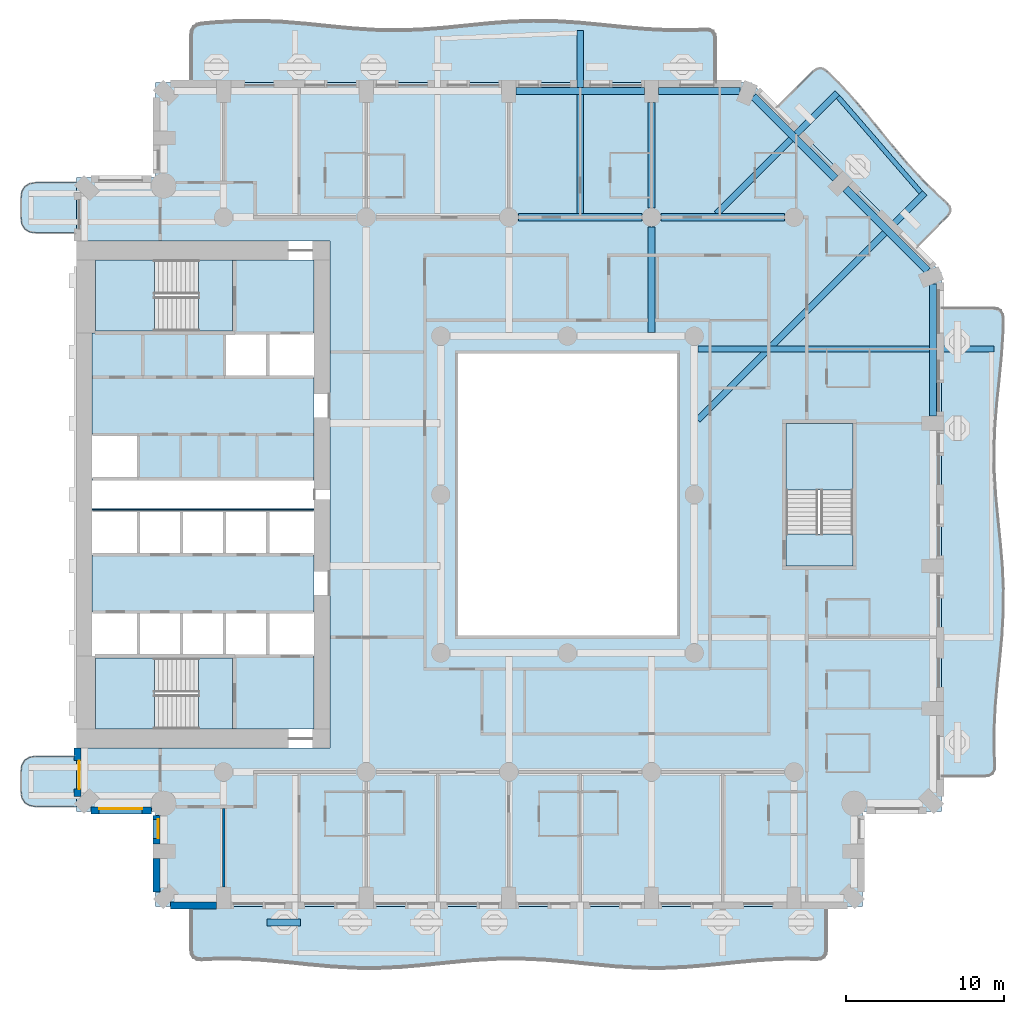
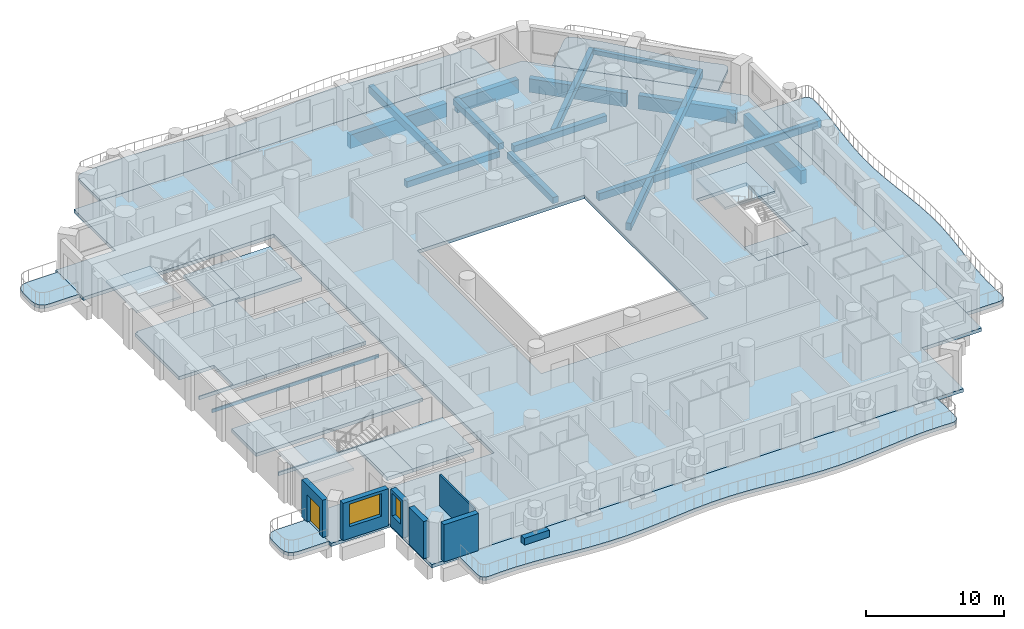
# One storey, part 2 of 20: 17 slabs, 14 beams, 7 walls, 2 windows, 1 door, 3 openings, 3 elements without a shape of their own.
"""IFC4 building model written with IfcOpenShell, lengths in metres."""

import ifcopenshell
import ifcopenshell.guid

model = None  # the IFC model being written
_history = None  # IfcOwnerHistory: only IFC2X3 demands one
_inside = {}  # id of a spatial element -> (the spatial element, [elements in it])
_under = {}  # id of a project, library or spatial element -> (it, [spatial elements below it])
_declared = {}  # id of a project -> (the project, [libraries it declares])
_typed = {}  # id of a type object -> (the type object, [elements of that type])
_made_of = {}  # id of a material, layer set ... -> (it, [elements and type objects made of it])


def new_model(schema):
    """Start an empty IFC model of exactly this schema.

    Asked for "IFC4X3", IfcOpenShell would pick the latest addendum, in which some entities
    have other attributes; the version numbers below select the first issue.
    IFC2X3 requires an IfcOwnerHistory on every rooted entity: one is made here for all.
    """
    global model, _history
    if schema == "IFC4X3":
        model = ifcopenshell.file(schema_version=(4, 3, 0, 0))
    else:
        model = ifcopenshell.file(schema=schema)
    _inside.clear()
    _under.clear()
    _declared.clear()
    _typed.clear()
    _made_of.clear()
    _history = None
    if model.schema == "IFC2X3":
        org = make("IfcOrganization", Name="unknown")
        user = make(
            "IfcPersonAndOrganization",
            ThePerson=make("IfcPerson", FamilyName="unknown"),
            TheOrganization=org,
        )
        app = make(
            "IfcApplication",
            ApplicationDeveloper=org,
            Version="unknown",
            ApplicationFullName="unknown",
            ApplicationIdentifier="unknown",
        )
        _history = make(
            "IfcOwnerHistory",
            OwningUser=user,
            OwningApplication=app,
            ChangeAction="ADDED",
            CreationDate=0,
        )
    return model


def make(cls, **values):
    """One entity of the class cls with the attributes given. An attribute that is None is left unset."""
    return model.create_entity(
        cls, **{name: value for name, value in values.items() if value is not None}
    )


def rooted(cls, **values):
    """An entity with a GlobalId (a new one), such as an element, a storey or a relation."""
    return make(cls, GlobalId=ifcopenshell.guid.new(), OwnerHistory=_history, **values)


def si_unit(unit_type, name, prefix=None):
    """IfcSIUnit, for example si_unit("LENGTHUNIT", "METRE", prefix="MILLI")."""
    return make("IfcSIUnit", UnitType=unit_type, Prefix=prefix, Name=name)


def assignment(units):
    """IfcUnitAssignment: the units of a project."""
    return None if units is None else make("IfcUnitAssignment", Units=units)


def point(xyz):
    """IfcCartesianPoint."""
    return None if xyz is None else make("IfcCartesianPoint", Coordinates=xyz)


def direction(xyz):
    """IfcDirection."""
    return None if xyz is None else make("IfcDirection", DirectionRatios=xyz)


def frame(location, z_axis=None, x_axis=None):
    """IfcAxis2Placement3D, a coordinate frame: its origin and axes. An axis left out is left unset."""
    return make(
        "IfcAxis2Placement3D",
        Location=point(location),
        Axis=direction(z_axis),
        RefDirection=direction(x_axis),
    )


def frame_2d(location, x_axis=None):
    """IfcAxis2Placement2D, a coordinate frame in the plane: its origin and x axis."""
    return make(
        "IfcAxis2Placement2D", Location=point(location), RefDirection=direction(x_axis)
    )


def origin():
    """The frame at (0, 0, 0) with its axes left unset."""
    return frame((0.0, 0.0, 0.0))


def origin_2d():
    """The frame at (0, 0) in the plane with its x axis left unset."""
    return frame_2d((0.0, 0.0))


def place(relative_to, where):
    """IfcLocalPlacement: puts the frame where relative to a parent placement (None: the world)."""
    return make(
        "IfcLocalPlacement", PlacementRelTo=relative_to, RelativePlacement=where
    )


def context(
    kind, dimensions, precision=None, world=None, true_north=None, identifier=None
):
    """IfcGeometricRepresentationContext, for example the 3D "Model" context."""
    return make(
        "IfcGeometricRepresentationContext",
        ContextIdentifier=identifier,
        ContextType=kind,
        CoordinateSpaceDimension=dimensions,
        Precision=precision,
        WorldCoordinateSystem=world,
        TrueNorth=true_north,
    )


def subcontext(parent, identifier, kind, view, scale=None):
    """IfcGeometricRepresentationSubContext, for example "Body" below "Model"."""
    return make(
        "IfcGeometricRepresentationSubContext",
        ContextIdentifier=identifier,
        ContextType=kind,
        ParentContext=parent,
        TargetScale=scale,
        TargetView=view,
    )


def project(units=None, contexts=None):
    """IfcProject with its units and contexts."""
    return rooted(
        "IfcProject",
        Name="project",
        RepresentationContexts=contexts,
        UnitsInContext=assignment(units),
    )


def spatial(cls, under=None, at=None, **own):
    """A site, building, storey or space (cls), placed at a placement, below another one or the project."""
    s = rooted(cls, ObjectPlacement=at, **own)
    if under is not None:
        _under.setdefault(under.id(), (under, []))[1].append(s)
    return s


def polyline(points):
    """IfcPolyline through the points."""
    return make("IfcPolyline", Points=[point(p) for p in points])


def profile(cls, at=None, kind="AREA", **sizes):
    """A parametric profile (cls). Its sizes go by their IFC names, for example OverallWidth=200.0."""
    return make(cls, ProfileType=kind, Position=at, **sizes)


def rectangle(**sizes):
    """IfcRectangleProfileDef."""
    return profile("IfcRectangleProfileDef", **sizes)


def outline(outer, holes=None, kind="AREA"):
    """IfcArbitraryClosedProfileDef: a profile drawn as a closed curve; with holes, ...WithVoids."""
    if holes is None:
        return make("IfcArbitraryClosedProfileDef", ProfileType=kind, OuterCurve=outer)
    return make(
        "IfcArbitraryProfileDefWithVoids",
        ProfileType=kind,
        OuterCurve=outer,
        InnerCurves=holes,
    )


def extrude(swept, where, along, depth):
    """IfcExtrudedAreaSolid: the profile swept, set in the frame where, extruded along a direction by depth."""
    return make(
        "IfcExtrudedAreaSolid",
        SweptArea=swept,
        Position=where,
        ExtrudedDirection=direction(along),
        Depth=depth,
    )


def shape(context_of_items, identifier, shape_type, items):
    """IfcShapeRepresentation: the items that make up one representation, for example the "Body"."""
    return make(
        "IfcShapeRepresentation",
        ContextOfItems=context_of_items,
        RepresentationIdentifier=identifier,
        RepresentationType=shape_type,
        Items=items,
    )


def material(Name=None, Category=None):
    """IfcMaterial."""
    return make("IfcMaterial", Name=Name, Category=Category)


def layer(
    of_material, thickness, ventilated=None, Name=None, Category=None, Priority=None
):
    """IfcMaterialLayer: one layer of a wall or slab, of a material (None: an air gap)."""
    return make(
        "IfcMaterialLayer",
        Material=of_material,
        LayerThickness=thickness,
        IsVentilated=ventilated,
        Name=Name,
        Category=Category,
        Priority=Priority,
    )


def layer_set(layers, Name=None):
    """IfcMaterialLayerSet."""
    return make("IfcMaterialLayerSet", MaterialLayers=layers, LayerSetName=Name)


def material_profile(
    of_material, cross_section, Name=None, Category=None, Priority=None
):
    """IfcMaterialProfile: a cross section and its material."""
    return make(
        "IfcMaterialProfile",
        Name=Name,
        Material=of_material,
        Profile=cross_section,
        Priority=Priority,
        Category=Category,
    )


def profile_set(profiles, Name=None, composite=None):
    """IfcMaterialProfileSet."""
    return make(
        "IfcMaterialProfileSet",
        Name=Name,
        MaterialProfiles=profiles,
        CompositeProfile=composite,
    )


def made_of(thing, what):
    """Note that an element or type object is made of a material, layer set ...; save() writes the relation."""
    if what is not None:
        _made_of.setdefault(what.id(), (what, []))[1].append(thing)
    return thing


def type_object(cls, material=None, **own):
    """A type object (cls), such as IfcWallType, which elements share."""
    return made_of(rooted(cls, **own), material)


def element(
    cls,
    number,
    at=None,
    inside=None,
    cuts=None,
    type_object=None,
    material=None,
    context=None,
    identifier="Body",
    shape_type=None,
    held_by="IfcProductDefinitionShape",
    body=None,
    shapes=None,
    **own,
):
    """One element of the class cls, such as IfcWall. Its Tag is "e" and its number.

    at: its placement. inside: the storey or other place that contains it. cuts: it is an
    opening in that element (IfcRelVoidsElement). A single representation is given by context,
    identifier, shape_type and body (its items); several are given by shapes. held_by: the class
    of the entity that holds the representations. save() writes the other relations.
    """
    e = rooted(cls, Tag="e%d" % number, ObjectPlacement=at, **own)
    if body is not None:
        shapes = [shape(context, identifier, shape_type, body)]
    if shapes is not None:
        e.Representation = make(held_by, Representations=shapes)
    if inside is not None:
        _inside.setdefault(inside.id(), (inside, []))[1].append(e)
    if cuts is not None:
        rooted(
            "IfcRelVoidsElement", RelatingBuildingElement=cuts, RelatedOpeningElement=e
        )
    if type_object is not None:
        _typed.setdefault(type_object.id(), (type_object, []))[1].append(e)
    return made_of(e, material)


def fill(opening, filler):
    """IfcRelFillsElement: the door or window that sits in an opening."""
    return rooted(
        "IfcRelFillsElement",
        RelatingOpeningElement=opening,
        RelatedBuildingElement=filler,
    )


def aggregate(whole, parts):
    """IfcRelAggregates: a whole, such as a stair, and the parts it consists of."""
    return rooted("IfcRelAggregates", RelatingObject=whole, RelatedObjects=parts)


def save(model, path):
    """Write the relations noted so far, then the file.

    IfcRelAggregates (storeys below a building ...), IfcRelContainedInSpatialStructure (elements
    in a storey), IfcRelDefinesByType, IfcRelAssociatesMaterial and IfcRelDeclares: one each for
    every whole, place, type object, material and project.
    """
    for whole, parts in _under.values():
        aggregate(whole, parts)
    for where, things in _inside.values():
        rooted(
            "IfcRelContainedInSpatialStructure",
            RelatedElements=things,
            RelatingStructure=where,
        )
    for kind, things in _typed.values():
        rooted("IfcRelDefinesByType", RelatedObjects=things, RelatingType=kind)
    for what, things in _made_of.values():
        rooted("IfcRelAssociatesMaterial", RelatedObjects=things, RelatingMaterial=what)
    for by, libraries in _declared.values():
        rooted("IfcRelDeclares", RelatingContext=by, RelatedDefinitions=libraries)
    model.write(path)


model = new_model("IFC4")

# Units and contexts
model_context = context("Model", 3, precision=1e-05, world=origin(), true_north=direction((0.0, 1.0)))
body_context = subcontext(model_context, "Body", "Model", "MODEL_VIEW")
ifc_project = project(units=[si_unit("LENGTHUNIT", "METRE"), si_unit("AREAUNIT", "SQUARE_METRE"), si_unit("VOLUMEUNIT", "CUBIC_METRE"), si_unit("PLANEANGLEUNIT", "RADIAN"), si_unit("MASSUNIT", "GRAM", prefix="KILO")], contexts=[model_context])

# Site, building, storey
site_placement = place(None, origin())
site = spatial("IfcSite", under=ifc_project, at=site_placement, CompositionType="ELEMENT")
building_placement = place(site_placement, origin())
building = spatial("IfcBuilding", under=site, at=building_placement, Name="Cypress Arch Tower", CompositionType="ELEMENT")
storey_placement = place(building_placement, frame((0.0, 0.0, 84.300048828125)))
storey = spatial("IfcBuildingStorey", under=building, at=storey_placement, Name="L15", CompositionType="ELEMENT", Elevation=84.300048828125)

# Beams
ifc_material_1 = material(Name="Concrete C50/60", Category="concrete")
ifc_material_profile_1 = material_profile(ifc_material_1, rectangle(XDim=0.300048828125, YDim=0.39990234375, at=origin_2d()), Name="RC 300x400")
ifc_profile_set_1 = profile_set([ifc_material_profile_1], Name="Concrete C50/60")
beam_type_1 = type_object("IfcBeamType", Name="Balcony edge beam RC 300x400 Concrete C50/60", PredefinedType="BEAM", material=ifc_profile_set_1)
beam_1_placement = place(storey_placement, frame((23.295166015625, 19.06591796875, -0.5), z_axis=(-0.654847851218, 0.755760737109, 0.0), x_axis=(-0.755760737109, -0.654847851218, 0.0)))
element("IfcBeam", 1, at=beam_1_placement, inside=storey, type_object=beam_type_1, Name="Balcony edge beam L15 A07", PredefinedType="BEAM", context=body_context, shape_type="SweptSolid", body=[
    extrude(rectangle(XDim=0.300048828125, YDim=0.39990234375, at=origin_2d()), origin(), (0.0, 0.0, 1.0), 7.9814453125),
])
ifc_material_2 = material(Name="Concrete C50/60", Category="concrete")
ifc_material_profile_2 = material_profile(ifc_material_2, rectangle(XDim=0.39990234375, YDim=0.64990234375, at=origin_2d()), Name="RC 400x650")
ifc_profile_set_2 = profile_set([ifc_material_profile_2], Name="Concrete C50/60")
beam_type_2 = type_object("IfcBeamType", Name="Cantilever beam RC 400x650 Concrete C50/60", PredefinedType="BEAM", material=ifc_profile_set_2)
beam_2_placement = place(storey_placement, frame((9.22509765625, 9.18798828125, -0.625), z_axis=(1.0, 0.0, 0.0), x_axis=(0.0, 1.0, 0.0)))
element("IfcBeam", 2, at=beam_2_placement, inside=storey, type_object=beam_type_2, Name="Cantilever beam L15 A06 2", PredefinedType="BEAM", context=body_context, shape_type="SweptSolid", body=[
    extrude(rectangle(XDim=0.39990234375, YDim=0.64990234375, at=origin_2d()), origin(), (0.0, 0.0, 1.0), 18.6767578125),
])
beam_3_placement = place(storey_placement, frame((9.22509765625, 4.712890625, -0.625), z_axis=(0.707106781187, 0.707106781187, 0.0), x_axis=(-0.707106781187, 0.707106781187, 0.0)))
element("IfcBeam", 3, at=beam_3_placement, inside=storey, type_object=beam_type_2, Name="Cantilever beam L15 A07 1", PredefinedType="BEAM", context=body_context, shape_type="SweptSolid", body=[
    extrude(rectangle(XDim=0.39990234375, YDim=0.64990234375, at=origin_2d()), origin(), (0.0, 0.0, 1.0), 20.248291015625),
])
beam_4_placement = place(storey_placement, frame((10.412841796875, 17.72509765625, -0.625), z_axis=(0.707106781187, 0.707106781187, 0.0), x_axis=(-0.707106781187, 0.707106781187, 0.0)))
element("IfcBeam", 4, at=beam_4_placement, inside=storey, type_object=beam_type_2, Name="Cantilever beam L15 A07 2", PredefinedType="BEAM", context=body_context, shape_type="SweptSolid", body=[
    extrude(rectangle(XDim=0.39990234375, YDim=0.64990234375, at=origin_2d()), origin(), (0.0, 0.0, 1.0), 10.77685546875),
])
beam_5_placement = place(storey_placement, frame((1.800048828125, 17.72509765625, -0.625), z_axis=(0.0, 1.0, 0.0), x_axis=(-1.0, 0.0, 0.0)))
element("IfcBeam", 5, at=beam_5_placement, inside=storey, type_object=beam_type_2, Name="Cantilever beam L15 A08 1", PredefinedType="BEAM", context=body_context, shape_type="SweptSolid", body=[
    extrude(rectangle(XDim=0.39990234375, YDim=0.64990234375, at=origin_2d()), origin(), (0.0, 0.0, 1.0), 11.55029296875),
])
ifc_material_3 = material(Name="Concrete C50/60", Category="concrete")
ifc_material_profile_3 = material_profile(ifc_material_3, rectangle(XDim=0.449951171875, YDim=0.550048828125, at=origin_2d()), Name="RC 450x550")
ifc_profile_set_3 = profile_set([ifc_material_profile_3], Name="Concrete C50/60")
beam_type_3 = type_object("IfcBeamType", Name="Floor beam RC 450x550 Concrete C50/60", PredefinedType="BEAM", material=ifc_profile_set_3)
for number, where, z_axis, x_axis, name in (
    (6, (-2.10009765625, 17.5, -0.574951171875), (1.0, 0.0, 0.0), (0.0, 1.0, 0.0), "Floor beam L15 FB017"),
    (7, (6.89990234375, 17.5, -0.574951171875), (1.0, 0.0, 0.0), (0.0, 1.0, 0.0), "Floor beam L15 FB018"),
):
    element("IfcBeam", number, at=place(storey_placement, frame(where, z_axis=z_axis, x_axis=x_axis)), inside=storey, type_object=beam_type_3, Name=name, PredefinedType="BEAM", context=body_context, shape_type="SweptSolid", body=[
        extrude(rectangle(XDim=0.449951171875, YDim=0.550048828125, at=origin_2d()), origin(), (0.0, 0.0, 1.0), 7.800048828125),
    ])
beam_6_placement = place(storey_placement, frame((6.300048828125, 10.22509765625, -0.574951171875), z_axis=(0.0, 1.0, 0.0), x_axis=(-1.0, 0.0, 0.0)))
element("IfcBeam", 8, at=beam_6_placement, inside=storey, type_object=beam_type_3, Name="Floor beam L15 FB032", PredefinedType="BEAM", context=body_context, shape_type="SweptSolid", body=[
    extrude(rectangle(XDim=0.449951171875, YDim=0.550048828125, at=origin_2d()), origin(), (0.0, 0.0, 1.0), 6.6748046875),
])
beam_7_placement = place(storey_placement, frame((6.300048828125, 18.10009765625, -0.574951171875), z_axis=(0.0, 1.0, 0.0), x_axis=(-1.0, 0.0, 0.0)))
element("IfcBeam", 9, at=beam_7_placement, inside=storey, type_object=beam_type_3, Name="Floor beam L15 FB033", PredefinedType="BEAM", context=body_context, shape_type="SweptSolid", body=[
    extrude(rectangle(XDim=0.449951171875, YDim=0.550048828125, at=origin_2d()), origin(), (0.0, 0.0, 1.0), 6.64990234375),
])
ifc_material_4 = material(Name="Concrete C50/60", Category="concrete")
ifc_material_profile_4 = material_profile(ifc_material_4, rectangle(XDim=0.449951171875, YDim=1.199951171875, at=origin_2d()), Name="RC 450x1200")
ifc_profile_set_4 = profile_set([ifc_material_profile_4], Name="Concrete C50/60")
beam_type_4 = type_object("IfcBeamType", Name="Spandrel beam RC 450x1200 Concrete C50/60", PredefinedType="SPANDREL", material=ifc_profile_set_4)
beam_8_placement = place(storey_placement, frame((24.074951171875, 4.949951171875, -1.550048828125), z_axis=(0.0, 1.0, 0.0), x_axis=(-1.0, 0.0, 0.0)))
element("IfcBeam", 10, at=beam_8_placement, inside=storey, type_object=beam_type_4, Name="Spandrel beam L15 BA06-3", PredefinedType="SPANDREL", context=body_context, shape_type="SweptSolid", body=[
    extrude(rectangle(XDim=0.449951171875, YDim=1.199951171875, at=origin_2d()), origin(), (0.0, 0.0, 1.0), 8.345458984375),
])
for number, where, z_axis, x_axis, name in (
    (11, (23.73046875, 14.126953125, -1.550048828125), (-0.707106781187, 0.707106781187, 0.0), (-0.707106781187, -0.707106781187, 0.0), "Spandrel beam L15 BA07-0"),
    (12, (17.91064453125, 19.947021484375, -1.550048828125), (-0.707106781187, 0.707106781187, 0.0), (-0.707106781187, -0.707106781187, 0.0), "Spandrel beam L15 BA07-1"),
):
    element("IfcBeam", number, at=place(storey_placement, frame(where, z_axis=z_axis, x_axis=x_axis)), inside=storey, type_object=beam_type_4, Name=name, PredefinedType="SPANDREL", context=body_context, shape_type="SweptSolid", body=[
        extrude(rectangle(XDim=0.449951171875, YDim=1.199951171875, at=origin_2d()), origin(), (0.0, 0.0, 1.0), 7.330810546875),
    ])
beam_9_placement = place(storey_placement, frame((11.8955078125, 25.47509765625, -1.550048828125), z_axis=(-1.0, 0.0, 0.0), x_axis=(0.0, -1.0, 0.0)))
element("IfcBeam", 13, at=beam_9_placement, inside=storey, type_object=beam_type_4, Name="Spandrel beam L15 BA08-0", PredefinedType="SPANDREL", context=body_context, shape_type="SweptSolid", body=[
    extrude(rectangle(XDim=0.449951171875, YDim=1.199951171875, at=origin_2d()), origin(), (0.0, 0.0, 1.0), 5.1455078125),
])
beam_10_placement = place(storey_placement, frame((5.85009765625, 25.47509765625, -1.550048828125), z_axis=(-1.0, 0.0, 0.0), x_axis=(0.0, -1.0, 0.0)))
element("IfcBeam", 14, at=beam_10_placement, inside=storey, type_object=beam_type_4, Name="Spandrel beam L15 BA08-1", PredefinedType="SPANDREL", context=body_context, shape_type="SweptSolid", body=[
    extrude(rectangle(XDim=0.449951171875, YDim=1.199951171875, at=origin_2d()), origin(), (0.0, 0.0, 1.0), 8.10009765625),
])

# Slabs
ifc_material_5 = material(Name="Concrete C40/50", Category="concrete")
ifc_layer_1 = layer(ifc_material_5, 0.300048828125)
ifc_layer_set_1 = layer_set([ifc_layer_1], Name="Balcony slab BS300")
slab_type_1 = type_object("IfcSlabType", Name="Balcony slab BS300", PredefinedType="USERDEFINED", material=ifc_layer_set_1)
slab_1_placement = place(storey_placement, frame((0.0, 0.0, -0.300048828125)))
element("IfcSlab", 15, at=slab_1_placement, inside=storey, type_object=slab_type_1, Name="Balcony slab L15-A00W0", ObjectType="BALCONY SLAB", PredefinedType="USERDEFINED", context=body_context, shape_type="SweptSolid", body=[
    extrude(outline(polyline([(-30.0, 19.699951171875), (-32.5, 19.699951171875), (-32.9375, 19.637451171875), (-33.25, 19.449951171875), (-33.4375, 19.137451171875), (-33.5, 18.699951171875), (-33.5, 17.5), (-33.4375, 17.0625), (-33.25, 16.75), (-32.9375, 16.5625), (-32.5, 16.5), (-30.0, 16.5), (-30.0, 19.699951171875)])), origin(), (0.0, 0.0, 1.0), 0.300048828125),
])
slab_2_placement = place(storey_placement, frame((0.0, 0.0, -0.300048828125)))
element("IfcSlab", 16, at=slab_2_placement, inside=storey, type_object=slab_type_1, Name="Balcony slab L15-A00W1", ObjectType="BALCONY SLAB", PredefinedType="USERDEFINED", context=body_context, shape_type="SweptSolid", body=[
    extrude(outline(polyline([(-30.0, -16.5), (-32.5, -16.5), (-32.9375, -16.5625), (-33.25, -16.75), (-33.4375, -17.0625), (-33.5, -17.5), (-33.5, -18.699951171875), (-33.4375, -19.137451171875), (-33.25, -19.449951171875), (-32.9375, -19.637451171875), (-32.5, -19.699951171875), (-30.0, -19.699951171875), (-30.0, -16.5)])), origin(), (0.0, 0.0, 1.0), 0.300048828125),
])
slab_3_placement = place(storey_placement, frame((0.0, 0.0, -0.300048828125)))
element("IfcSlab", 17, at=slab_3_placement, inside=storey, type_object=slab_type_1, Name="Balcony slab L15-A03", ObjectType="BALCONY SLAB", PredefinedType="USERDEFINED", context=body_context, shape_type="SweptSolid", body=[
    extrude(outline(polyline([(-22.75, -26.0), (-22.75, -28.71875), (-22.708251953125, -29.00927734375), (-22.5830078125, -29.2119140625), (-22.3740234375, -29.326416015625), (-22.081787109375, -29.35302734375), (-21.264892578125, -29.310546875), (-19.779541015625, -29.309326171875), (-18.29443359375, -29.384521484375), (-16.809326171875, -29.516357421875), (-15.323974609375, -29.670166015625), (-13.8388671875, -29.805419921875), (-12.353759765625, -29.88671875), (-10.868408203125, -29.892822265625), (-9.38330078125, -29.82177734375), (-7.898193359375, -29.692626953125), (-6.412841796875, -29.5390625), (-4.927734375, -29.4013671875), (-3.442626953125, -29.316162109375), (-1.95751953125, -29.305419921875), (-0.47216796875, -29.3720703125), (1.012939453125, -29.498779296875), (2.498046875, -29.65185546875), (3.9833984375, -29.79150390625), (5.468505859375, -29.880859375), (6.95361328125, -29.896240234375), (8.43896484375, -29.833984375), (9.924072265625, -29.7099609375), (11.4091796875, -29.557373046875), (12.89453125, -29.415771484375), (14.379638671875, -29.32275390625), (15.86474609375, -29.302490234375), (16.681640625, -29.334228515625), (16.97412109375, -29.303955078125), (17.182861328125, -29.186767578125), (17.308349609375, -28.982666015625), (17.35009765625, -28.691650390625), (17.35009765625, -26.0), (-22.75, -26.0)])), origin(), (0.0, 0.0, 1.0), 0.300048828125),
])
slab_4_placement = place(storey_placement, frame((0.0, 0.0, -0.300048828125)))
element("IfcSlab", 18, at=slab_4_placement, inside=storey, type_object=slab_type_1, Name="Balcony slab L15-A06", ObjectType="BALCONY SLAB", PredefinedType="USERDEFINED", context=body_context, shape_type="SweptSolid", body=[
    extrude(outline(polyline([(24.60009765625, -17.75), (27.3232421875, -17.75), (27.61181640625, -17.70849609375), (27.81298828125, -17.583984375), (27.9267578125, -17.376708984375), (27.953125, -17.086181640625), (27.910888671875, -16.27490234375), (27.908935546875, -14.800048828125), (27.982421875, -13.324951171875), (28.1123046875, -11.85009765625), (28.264892578125, -10.375), (28.400634765625, -8.89990234375), (28.484375, -7.425048828125), (28.494384765625, -5.949951171875), (28.42822265625, -4.47509765625), (28.302490234375, -3.0), (28.150390625, -1.52490234375), (28.01123046875, -0.050048828125), (27.9208984375, 1.425048828125), (27.90283203125, 2.89990234375), (27.9619140625, 4.375), (28.082763671875, 5.85009765625), (28.23388671875, 7.324951171875), (28.376220703125, 8.800048828125), (28.472900390625, 10.27490234375), (28.4873046875, 11.086181640625), (28.450927734375, 11.376708984375), (28.330078125, 11.583984375), (28.124755859375, 11.70849609375), (27.8349609375, 11.75), (24.60009765625, 11.75), (24.60009765625, -17.75)])), origin(), (0.0, 0.0, 1.0), 0.300048828125),
])
slab_5_placement = place(storey_placement, frame((0.0, 0.0, -0.300048828125)))
element("IfcSlab", 19, at=slab_5_placement, inside=storey, type_object=slab_type_1, Name="Balcony slab L15-A07", ObjectType="BALCONY SLAB", PredefinedType="USERDEFINED", context=body_context, shape_type="SweptSolid", body=[
    extrude(outline(polyline([(23.009033203125, 15.591064453125), (24.963134765625, 17.544921875), (25.127197265625, 17.764404296875), (25.177978515625, 17.98046875), (25.11572265625, 18.193603515625), (24.93994140625, 18.40380859375), (24.372314453125, 18.913818359375), (23.386474609375, 19.887451171875), (22.448486328125, 20.9091796875), (21.548583984375, 21.968994140625), (20.6689453125, 23.048583984375), (19.7861328125, 24.12548828125), (18.8779296875, 25.1767578125), (17.92822265625, 26.1865234375), (17.37890625, 26.71533203125), (17.15478515625, 26.876953125), (16.931884765625, 26.929443359375), (16.709716796875, 26.872802734375), (16.48876953125, 26.706787109375), (14.19091796875, 24.408935546875), (23.009033203125, 15.591064453125)])), origin(), (0.0, 0.0, 1.0), 0.300048828125),
])
slab_6_placement = place(storey_placement, frame((0.0, 0.0, -0.300048828125)))
element("IfcSlab", 20, at=slab_6_placement, inside=storey, type_object=slab_type_1, Name="Balcony slab L15-A08", ObjectType="BALCONY SLAB", PredefinedType="USERDEFINED", context=body_context, shape_type="SweptSolid", body=[
    extrude(outline(polyline([(10.35009765625, 26.0), (10.35009765625, 28.7392578125), (10.3095703125, 29.02099609375), (10.18798828125, 29.21728515625), (9.98583984375, 29.328125), (9.702392578125, 29.353759765625), (8.910888671875, 29.31201171875), (7.4716796875, 29.30712890625), (6.03271484375, 29.374755859375), (4.593505859375, 29.498046875), (3.154296875, 29.646484375), (1.71533203125, 29.783447265625), (0.276123046875, 29.875), (-1.1630859375, 29.898681640625), (-2.602294921875, 29.8486328125), (-4.041259765625, 29.737060546875), (-5.48046875, 29.591552734375), (-6.919677734375, 29.4482421875), (-8.358642578125, 29.34228515625), (-9.7978515625, 29.30029296875), (-11.237060546875, 29.33203125), (-12.676025390625, 29.43017578125), (-14.115234375, 29.5703125), (-15.554443359375, 29.717529296875), (-16.993408203125, 29.8359375), (-18.4326171875, 29.89599609375), (-19.871826171875, 29.8828125), (-21.310791015625, 29.7998046875), (-22.102294921875, 29.72705078125), (-22.3857421875, 29.660400390625), (-22.588134765625, 29.519775390625), (-22.70947265625, 29.305419921875), (-22.75, 29.01708984375), (-22.75, 26.0), (10.35009765625, 26.0)])), origin(), (0.0, 0.0, 1.0), 0.300048828125),
])
ifc_material_6 = material(Name="Concrete C40/50", Category="concrete")
ifc_layer_2 = layer(ifc_material_6, 0.300048828125)
ifc_layer_set_2 = layer_set([ifc_layer_2], Name="Core floor CF300")
slab_type_2 = type_object("IfcSlabType", Name="Core floor CF300", PredefinedType="FLOOR", material=ifc_layer_set_2)
slab_7_placement = place(storey_placement, frame((0.0, 0.0, -0.300048828125)))
element("IfcSlab", 21, at=slab_7_placement, inside=storey, type_object=slab_type_2, Name="Core floor", PredefinedType="FLOOR", context=body_context, shape_type="SweptSolid", body=[
    extrude(outline(polyline([(-20.125, -14.800048828125), (-15.0, -14.800048828125), (-15.0, -10.199951171875), (-17.919921875, -10.199951171875), (-20.639892578125, -10.199951171875), (-23.360107421875, -10.199951171875), (-26.080078125, -10.199951171875), (-28.800048828125, -10.199951171875), (-28.800048828125, -10.324951171875), (-22.27490234375, -10.324951171875), (-20.125, -10.324951171875), (-20.125, -14.800048828125)])), origin(), (0.0, 0.0, 1.0), 0.300048828125),
])
slab_8_placement = place(storey_placement, frame((0.0, 0.0, -0.300048828125)))
element("IfcSlab", 22, at=slab_8_placement, inside=storey, type_object=slab_type_2, Name="Core floor", PredefinedType="FLOOR", context=body_context, shape_type="SweptSolid", body=[
    extrude(outline(polyline([(-29.0, -3.800048828125), (-29.0, -7.39990234375), (-26.080078125, -7.39990234375), (-23.360107421875, -7.39990234375), (-20.639892578125, -7.39990234375), (-17.919921875, -7.39990234375), (-15.0, -7.39990234375), (-15.0, -3.800048828125), (-17.919921875, -3.800048828125), (-20.639892578125, -3.800048828125), (-23.360107421875, -3.800048828125), (-26.080078125, -3.800048828125), (-29.0, -3.800048828125)])), origin(), (0.0, 0.0, 1.0), 0.300048828125),
])
slab_9_placement = place(storey_placement, frame((0.0, 0.0, -0.300048828125)))
element("IfcSlab", 23, at=slab_9_placement, inside=storey, type_object=slab_type_2, Name="Core floor", PredefinedType="FLOOR", context=body_context, shape_type="SweptSolid", body=[
    extrude(outline(polyline([(-29.0, 3.800048828125), (-29.0, 10.199951171875), (-28.800048828125, 10.199951171875), (-28.800048828125, 10.324951171875), (-28.60009765625, 10.324951171875), (-22.27490234375, 10.324951171875), (-20.125, 10.324951171875), (-20.125, 14.800048828125), (-15.39990234375, 14.800048828125), (-15.0, 14.800048828125), (-15.0, 10.199951171875), (-15.39990234375, 10.199951171875), (-17.919921875, 10.199951171875), (-20.639892578125, 10.199951171875), (-20.639892578125, 7.39990234375), (-17.919921875, 7.39990234375), (-15.39990234375, 7.39990234375), (-15.0, 7.39990234375), (-15.0, 0.89990234375), (-28.60009765625, 0.89990234375), (-29.0, 0.89990234375), (-29.0, 1.0), (-28.60009765625, 1.0), (-26.080078125, 1.0), (-26.080078125, 3.800048828125), (-28.60009765625, 3.800048828125), (-29.0, 3.800048828125)])), origin(), (0.0, 0.0, 1.0), 0.300048828125),
])
slab_10_placement = place(storey_placement, frame((0.0, 0.0, -0.300048828125)))
element("IfcSlab", 24, at=slab_10_placement, inside=storey, type_object=slab_type_2, Name="Core floor", PredefinedType="FLOOR", context=body_context, shape_type="SweptSolid", body=[
    extrude(outline(polyline([(-22.27490234375, -10.324951171875), (-22.27490234375, -14.800048828125), (-20.125, -14.800048828125), (-20.125, -10.324951171875), (-22.27490234375, -10.324951171875)])), origin(), (0.0, 0.0, 1.0), 0.300048828125),
])
slab_11_placement = place(storey_placement, frame((0.0, 0.0, -0.300048828125)))
element("IfcSlab", 25, at=slab_11_placement, inside=storey, type_object=slab_type_2, Name="Core floor", PredefinedType="FLOOR", context=body_context, shape_type="SweptSolid", body=[
    extrude(outline(polyline([(-20.125, 14.800048828125), (-22.27490234375, 14.800048828125), (-22.27490234375, 10.324951171875), (-20.125, 10.324951171875), (-20.125, 14.800048828125)])), origin(), (0.0, 0.0, 1.0), 0.300048828125),
])
slab_12_placement = place(storey_placement, frame((0.0, 0.0, -0.300048828125)))
element("IfcSlab", 26, at=slab_12_placement, inside=storey, type_object=slab_type_2, Name="Stair floor landing", PredefinedType="FLOOR", context=body_context, shape_type="SweptSolid", body=[
    extrude(outline(polyline([(19.0, -4.5), (19.0, -2.5), (14.800048828125, -2.5), (14.800048828125, -4.5), (19.0, -4.5)])), origin(), (0.0, 0.0, 1.0), 0.300048828125),
])
slab_13_placement = place(storey_placement, frame((0.0, 0.0, -0.300048828125)))
element("IfcSlab", 27, at=slab_13_placement, inside=storey, type_object=slab_type_2, Name="Core floor", PredefinedType="FLOOR", context=body_context, shape_type="SweptSolid", body=[
    extrude(outline(polyline([(-20.639892578125, -1.0), (-23.360107421875, -1.0), (-26.080078125, -1.0), (-28.60009765625, -1.0), (-29.0, -1.0), (-29.0, -0.89990234375), (-28.60009765625, -0.89990234375), (-15.39990234375, -0.89990234375), (-15.0, -0.89990234375), (-15.0, -1.0), (-15.39990234375, -1.0), (-17.919921875, -1.0), (-20.639892578125, -1.0)])), origin(), (0.0, 0.0, 1.0), 0.300048828125),
])
ifc_material_7 = material(Name="Concrete C40/50", Category="concrete")
ifc_layer_3 = layer(ifc_material_7, 0.300048828125)
ifc_layer_set_3 = layer_set([ifc_layer_3], Name="PT flat slab 300 Concrete C40/50")
slab_type_3 = type_object("IfcSlabType", Name="PT flat slab 300 Concrete C40/50", PredefinedType="FLOOR", material=ifc_layer_set_3)
slab_14_placement = place(storey_placement, frame((0.0, 0.0, -0.300048828125)))
element("IfcSlab", 28, at=slab_14_placement, inside=storey, type_object=slab_type_3, Name="Floor slab L15", PredefinedType="FLOOR", context=body_context, shape_type="SweptSolid", body=[
    extrude(outline(polyline([(-30.0, 20.0), (-25.0, 20.0), (-25.0, 26.0), (12.60009765625, 26.0), (24.60009765625, 14.0), (24.60009765625, -20.0), (19.60009765625, -20.0), (19.60009765625, -26.0), (-25.0, -26.0), (-25.0, -20.0), (-30.0, -20.0), (-30.0, -16.0), (-14.0, -16.0), (-14.0, 16.0), (-30.0, 16.0), (-30.0, 20.0)]), holes=[polyline([(-6.0, -9.0), (8.0, -9.0), (8.0, 9.0), (-6.0, 9.0), (-6.0, -9.0)]), polyline([(14.800048828125, -4.5), (19.0, -4.5), (19.0, 4.5), (14.800048828125, 4.5), (14.800048828125, -4.5)])]), origin(), (0.0, 0.0, 1.0), 0.300048828125),
])

# Stair, slab
ifc_material_8 = material(Name="Concrete C40/50", Category="concrete")
stair_type_1 = type_object("IfcStairType", Name="Exit stair ES1636-215", PredefinedType="HALF_TURN_STAIR", material=ifc_material_8)
stair_1_placement = place(storey_placement, origin())
stair_1 = element("IfcStair", 29, at=stair_1_placement, inside=storey, type_object=stair_type_1, Name="L15 Exit stair A", PredefinedType="HALF_TURN_STAIR")
ifc_material_9 = material(Name="Concrete C40/50", Category="concrete")
ifc_layer_4 = layer(ifc_material_9, 0.199951171875)
ifc_layer_set_4 = layer_set([ifc_layer_4], Name="Stair landing SL200")
slab_type_4 = type_object("IfcSlabType", Name="Stair landing SL200", PredefinedType="LANDING", material=ifc_layer_set_4)
slab_15_placement = place(storey_placement, frame((0.0, 0.0, 1.599853515625)))
slab_15 = element("IfcSlab", 30, at=slab_15_placement, type_object=slab_type_4, Name="A landing 1", PredefinedType="LANDING", context=body_context, shape_type="SweptSolid", body=[
    extrude(outline(polyline([(-25.074951171875, -10.324951171875), (-28.800048828125, -10.324951171875), (-28.800048828125, -14.800048828125), (-25.074951171875, -14.800048828125), (-25.074951171875, -10.324951171875)])), origin(), (0.0, 0.0, 1.0), 0.2001953125),
])
aggregate(stair_1, [slab_15])

stair_2_placement = place(storey_placement, origin())
stair_2 = element("IfcStair", 31, at=stair_2_placement, inside=storey, type_object=stair_type_1, Name="L15 Exit stair B", PredefinedType="HALF_TURN_STAIR")
slab_16_placement = place(storey_placement, frame((0.0, 0.0, 1.599853515625)))
slab_16 = element("IfcSlab", 32, at=slab_16_placement, type_object=slab_type_4, Name="B landing 1", PredefinedType="LANDING", context=body_context, shape_type="SweptSolid", body=[
    extrude(outline(polyline([(-25.074951171875, 14.800048828125), (-28.800048828125, 14.800048828125), (-28.800048828125, 10.324951171875), (-25.074951171875, 10.324951171875), (-25.074951171875, 14.800048828125)])), origin(), (0.0, 0.0, 1.0), 0.2001953125),
])
aggregate(stair_2, [slab_16])

ifc_material_10 = material(Name="Concrete C40/50", Category="concrete")
stair_type_2 = type_object("IfcStairType", Name="Exit stair ES1636-200", PredefinedType="HALF_TURN_STAIR", material=ifc_material_10)
stair_3_placement = place(storey_placement, origin())
stair_3 = element("IfcStair", 33, at=stair_3_placement, inside=storey, type_object=stair_type_2, Name="L15 Exit stair C", PredefinedType="HALF_TURN_STAIR")
slab_17_placement = place(storey_placement, frame((0.0, 0.0, 1.599853515625)))
slab_17 = element("IfcSlab", 34, at=slab_17_placement, type_object=slab_type_4, Name="C landing 1", PredefinedType="LANDING", context=body_context, shape_type="SweptSolid", body=[
    extrude(outline(polyline([(19.0, 0.300048828125), (19.0, 4.5), (14.800048828125, 4.5), (14.800048828125, 0.300048828125), (19.0, 0.300048828125)])), origin(), (0.0, 0.0, 1.0), 0.2001953125),
])
aggregate(stair_3, [slab_17])

# Wall
ifc_material_11 = material(Name="Concrete C40/50, waterproofed", Category="concrete")
ifc_layer_5 = layer(ifc_material_11, 0.449951171875)
ifc_layer_set_5 = layer_set([ifc_layer_5], Name="Balcony planter wall PW450")
wall_type_1 = type_object("IfcWallType", Name="Balcony planter wall PW450", PredefinedType="SOLIDWALL", material=ifc_layer_set_5)
wall_1_placement = place(storey_placement, frame((-17.949951171875, -27.0, 0.0), z_axis=(0.0, 0.0, 1.0), x_axis=(1.0, 0.0, 0.0)))
element("IfcWall", 35, at=wall_1_placement, inside=storey, type_object=wall_type_1, Name="Balcony planter wall L15-A03.1", PredefinedType="SOLIDWALL", context=body_context, shape_type="SweptSolid", body=[
    extrude(rectangle(XDim=2.099853515625, YDim=0.449951171875, at=frame_2d((1.0498046875, 0.0))), origin(), (0.0, 0.0, 1.0), 0.599853515625),
])

# Wall, opening, door
ifc_material_12 = material(Name="Brick (red buff blend)", Category="masonry")
ifc_layer_6 = layer(ifc_material_12, 0.449951171875)
ifc_layer_set_6 = layer_set([ifc_layer_6], Name="Brick pier and spandrel wall BW450")
wall_type_2 = type_object("IfcWallType", Name="Brick pier and spandrel wall BW450", PredefinedType="SOLIDWALL", material=ifc_layer_set_6)
wall_2_placement = place(storey_placement, frame((-29.925048828125, -16.0, 0.0), z_axis=(0.0, 0.0, 1.0), x_axis=(0.0, -1.0, 0.0)))
wall_2 = element("IfcWall", 36, at=wall_2_placement, inside=storey, type_object=wall_type_2, Name="Brick wall L15 A00.0.1", PredefinedType="SOLIDWALL", context=body_context, shape_type="SweptSolid", body=[
    extrude(rectangle(XDim=3.063720703125, YDim=0.449951171875, at=frame_2d((1.53173828125, 0.0))), origin(), (0.0, 0.0, 1.0), 3.300048828125),
])
opening_1_placement = place(wall_2_placement, frame((0.78173828125, 0.0, 0.0)))
opening_1 = element("IfcOpeningElement", 37, at=opening_1_placement, cuts=wall_2, Name="Opening D-L15-A00.0.1.9", PredefinedType="OPENING", context=body_context, shape_type="SweptSolid", body=[
    extrude(rectangle(XDim=1.800048828125, YDim=2.39990234375, at=frame_2d((0.89990234375, 1.199951171875))), frame((0.0, 0.23486328125, 0.0), z_axis=(0.0, -1.0, 0.0), x_axis=(1.0, 0.0, 0.0)), (0.0, 0.0, 1.0), 0.469970703125),
])
ifc_material_13 = material(Name="Anodised aluminium, bronze finish, laminated low-emissivity double glazing, large-missile impact rated", Category="aluminium")
door_type = type_object("IfcDoorType", Name="Balcony sliding door 1800x2400", OperationType="SLIDING_TO_LEFT", PredefinedType="DOOR", material=ifc_material_13)
door_placement = place(opening_1_placement, origin())
door = element("IfcDoor", 38, at=door_placement, inside=storey, type_object=door_type, Name="Balcony door L15 A00.0.1.9", OperationType="SLIDING_TO_LEFT", OverallHeight=2.39990234375, OverallWidth=1.800048828125, PredefinedType="DOOR", context=body_context, shape_type="SweptSolid", body=[
    extrude(rectangle(XDim=1.800048828125, YDim=2.39990234375, at=frame_2d((0.89990234375, 1.199951171875))), frame((0.0, 0.1298828125, 0.0), z_axis=(0.0, -1.0, 0.0), x_axis=(1.0, 0.0, 0.0)), (0.0, 0.0, 1.0), 0.050048828125),
])
fill(opening_1, door)

# Wall, opening, window
wall_3_placement = place(storey_placement, frame((-29.063720703125, -19.925048828125, 0.0), z_axis=(0.0, 0.0, 1.0), x_axis=(1.0, 0.0, 0.0)))
wall_3 = element("IfcWall", 39, at=wall_3_placement, inside=storey, type_object=wall_type_2, Name="Brick wall L15 A01.0", PredefinedType="SOLIDWALL", context=body_context, shape_type="SweptSolid", body=[
    extrude(rectangle(XDim=3.80517578125, YDim=0.449951171875, at=frame_2d((1.902587890625, 0.0))), origin(), (0.0, 0.0, 1.0), 3.300048828125),
])
opening_2_placement = place(wall_3_placement, frame((0.513671875, 0.0, 1.050048828125)))
opening_2 = element("IfcOpeningElement", 40, at=opening_2_placement, cuts=wall_3, Name="Opening W270H", PredefinedType="OPENING", context=body_context, shape_type="SweptSolid", body=[
    extrude(rectangle(XDim=2.699951171875, YDim=2.0, at=frame_2d((1.35009765625, 1.0))), frame((0.0, 0.23486328125, 0.0), z_axis=(0.0, -1.0, 0.0), x_axis=(1.0, 0.0, 0.0)), (0.0, 0.0, 1.0), 0.469970703125),
])
ifc_material_14 = material(Name="Anodised aluminium, bronze finish, clear low-emissivity double glazing", Category="aluminium")
window_type_1 = type_object("IfcWindowType", Name="Window Hotel 2700x2000", PartitioningType="SINGLE_PANEL", PredefinedType="WINDOW", material=ifc_material_14)
window_1_placement = place(opening_2_placement, origin())
window_1 = element("IfcWindow", 41, at=window_1_placement, inside=storey, type_object=window_type_1, Name="Window L15 A01.0.1", OverallHeight=2.0, OverallWidth=2.699951171875, PartitioningType="SINGLE_PANEL", PredefinedType="WINDOW", context=body_context, shape_type="SweptSolid", body=[
    extrude(rectangle(XDim=2.699951171875, YDim=2.0, at=frame_2d((1.35009765625, 1.0))), frame((0.0, 0.135009765625, 0.0), z_axis=(0.0, -1.0, 0.0), x_axis=(1.0, 0.0, 0.0)), (0.0, 0.0, 1.0), 0.06005859375),
])
fill(opening_2, window_1)

wall_4_placement = place(storey_placement, frame((-24.925048828125, -20.258544921875, 0.0), z_axis=(0.0, 0.0, 1.0), x_axis=(0.0, -1.0, 0.0)))
wall_4 = element("IfcWall", 42, at=wall_4_placement, inside=storey, type_object=wall_type_2, Name="Brick wall L15 A02.0", PredefinedType="SOLIDWALL", context=body_context, shape_type="SweptSolid", body=[
    extrude(rectangle(XDim=1.79150390625, YDim=0.449951171875, at=frame_2d((0.895751953125, 0.0))), origin(), (0.0, 0.0, 1.0), 3.300048828125),
])
opening_3_placement = place(wall_4_placement, frame((0.241455078125, 0.0, 1.050048828125)))
opening_3 = element("IfcOpeningElement", 43, at=opening_3_placement, cuts=wall_4, Name="Opening W120H", PredefinedType="OPENING", context=body_context, shape_type="SweptSolid", body=[
    extrude(rectangle(XDim=1.199951171875, YDim=2.0, at=frame_2d((0.60009765625, 1.0))), frame((0.0, 0.23486328125, 0.0), z_axis=(0.0, -1.0, 0.0), x_axis=(1.0, 0.0, 0.0)), (0.0, 0.0, 1.0), 0.469970703125),
])
ifc_material_15 = material(Name="Anodised aluminium, bronze finish, clear low-emissivity double glazing", Category="aluminium")
window_type_2 = type_object("IfcWindowType", Name="Window Hotel 1200x2000", PartitioningType="SINGLE_PANEL", PredefinedType="WINDOW", material=ifc_material_15)
window_2_placement = place(opening_3_placement, origin())
window_2 = element("IfcWindow", 44, at=window_2_placement, inside=storey, type_object=window_type_2, Name="Window L15 A02.0.1", OverallHeight=2.0, OverallWidth=1.199951171875, PartitioningType="SINGLE_PANEL", PredefinedType="WINDOW", context=body_context, shape_type="SweptSolid", body=[
    extrude(rectangle(XDim=1.199951171875, YDim=2.0, at=frame_2d((0.60009765625, 1.0))), frame((0.0, 0.135009765625, 0.0), z_axis=(0.0, -1.0, 0.0), x_axis=(1.0, 0.0, 0.0)), (0.0, 0.0, 1.0), 0.06005859375),
])
fill(opening_3, window_2)

# Walls
wall_5_placement = place(storey_placement, frame((-24.925048828125, -22.949951171875, 0.0), z_axis=(0.0, 0.0, 1.0), x_axis=(0.0, -1.0, 0.0)))
element("IfcWall", 45, at=wall_5_placement, inside=storey, type_object=wall_type_2, Name="Brick wall L15 A02.1", PredefinedType="SOLIDWALL", context=body_context, shape_type="SweptSolid", body=[
    extrude(rectangle(XDim=2.11376953125, YDim=0.449951171875, at=frame_2d((1.056884765625, 0.0))), origin(), (0.0, 0.0, 1.0), 3.300048828125),
])
wall_6_placement = place(storey_placement, frame((-24.063720703125, -25.925048828125, 0.0), z_axis=(0.0, 0.0, 1.0), x_axis=(1.0, 0.0, 0.0)))
element("IfcWall", 46, at=wall_6_placement, inside=storey, type_object=wall_type_2, Name="Brick wall L15 A03.0", PredefinedType="SOLIDWALL", context=body_context, shape_type="SweptSolid", body=[
    extrude(rectangle(XDim=2.913818359375, YDim=0.449951171875, at=frame_2d((1.45703125, 0.0))), origin(), (0.0, 0.0, 1.0), 3.300048828125),
])
ifc_material_16 = material(Name="Blockwork, plastered both sides", Category="masonry")
ifc_layer_7 = layer(ifc_material_16, 0.14990234375)
ifc_layer_set_7 = layer_set([ifc_layer_7], Name="Partition PW150")
wall_type_3 = type_object("IfcWallType", Name="Partition PW150", PredefinedType="PARTITIONING", material=ifc_layer_set_7)
wall_7_placement = place(storey_placement, frame((-20.699951171875, -24.75, 0.0), z_axis=(0.0, 0.0, 1.0), x_axis=(0.0, 1.0, 0.0)))
element("IfcWall", 47, at=wall_7_placement, inside=storey, type_object=wall_type_3, Name="Partition", PredefinedType="PARTITIONING", context=body_context, shape_type="SweptSolid", body=[
    extrude(rectangle(XDim=4.949951171875, YDim=0.14990234375, at=frame_2d((2.47509765625, 0.0))), origin(), (0.0, 0.0, 1.0), 2.75),
])

save(model, "model.ifc")
